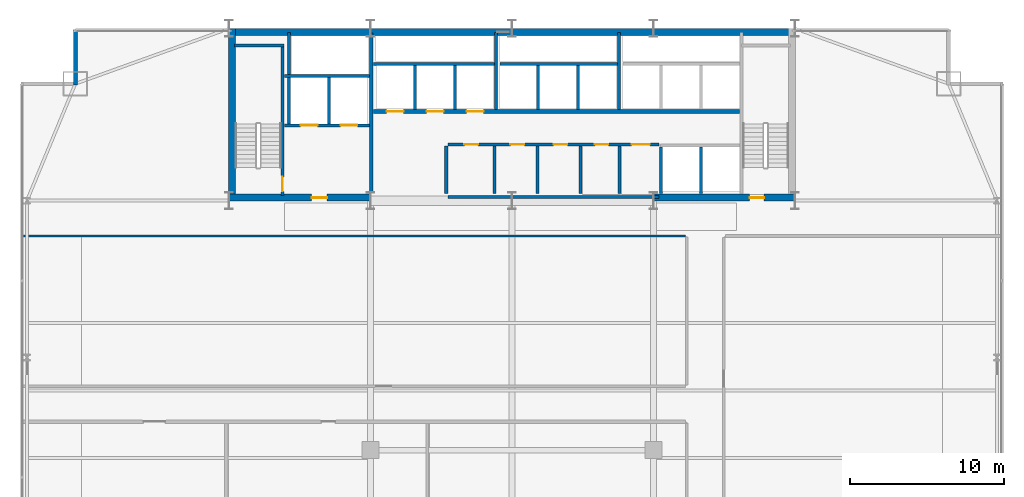
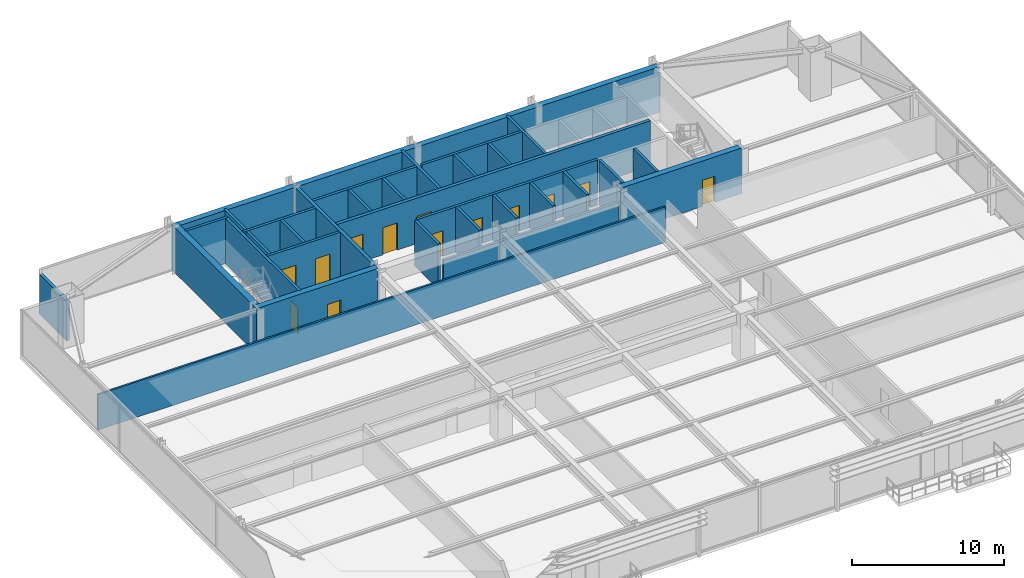
# One storey, part 28 of 31: 31 walls, 13 doors, 13 openings.
"""IFC4 building model written with IfcOpenShell, lengths in metres."""

from ifc_helpers import new_model, si_unit, direction, frame, frame_2d, origin, place, context, subcontext, project, spatial, rectangle, extrude, source, transform, mapped, material, layer, layer_set, type_object, type_shapes, element, fill, save


model = new_model("IFC4")

# Units and contexts
model_context = context("Model", 3, precision=1e-05, world=origin(), true_north=direction((0.0, 1.0)))
body_context = subcontext(model_context, "Body", "Model", "MODEL_VIEW")
ifc_project = project(units=[si_unit("LENGTHUNIT", "METRE"), si_unit("AREAUNIT", "SQUARE_METRE"), si_unit("VOLUMEUNIT", "CUBIC_METRE"), si_unit("PLANEANGLEUNIT", "RADIAN"), si_unit("MASSUNIT", "GRAM", prefix="KILO")], contexts=[model_context])

# Site, building, storey
site_placement = place(None, origin())
site = spatial("IfcSite", under=ifc_project, at=site_placement, CompositionType="ELEMENT")
building_placement = place(site_placement, origin())
building = spatial("IfcBuilding", under=site, at=building_placement, Name="Varnel Quay Broadcast Tower", CompositionType="ELEMENT")
storey_placement = place(building_placement, frame((0.0, 0.0, 51.0)))
storey = spatial("IfcBuildingStorey", under=building, at=storey_placement, Name="L11", CompositionType="ELEMENT", Elevation=51.0)

# Wall, opening, door
ifc_material_1 = material(Name="Concrete CSA A23.3 C50/60", Category="concrete")
ifc_layer_1 = layer(ifc_material_1, 0.199951171875, Name="Concrete CSA A23.3 C50/60")
ifc_layer_set_1 = layer_set([ifc_layer_1], Name="Concrete CSA A23.3 C50/60")
wall_type_1 = type_object("IfcWallType", Name="Wall_CoreShaftShear200", PredefinedType="SHEAR", material=ifc_layer_set_1)
wall_1_placement = place(storey_placement, frame((19.080078125, 35.949951171875, 0.0), z_axis=(0.0, 0.0, 1.0), x_axis=(0.0, 1.0, 0.0)))
wall_1 = element("IfcWall", 1, at=wall_1_placement, inside=storey, type_object=wall_type_1, Name="L11 Stair 1 East Structural Wall", PredefinedType="SHEAR", context=body_context, shape_type="SweptSolid", body=[
    extrude(rectangle(XDim=9.650146484375, YDim=0.199951171875, at=frame_2d((4.8251953125, 0.0))), origin(), (0.0, 0.0, 1.0), 3.64990234375),
])
opening_1_placement = place(wall_1_placement, frame((0.25, 0.0, 0.0)))
opening_1 = element("IfcOpeningElement", 2, at=opening_1_placement, cuts=wall_1, Name="Opening D-L11-S1", PredefinedType="OPENING", context=body_context, shape_type="SweptSolid", body=[
    extrude(rectangle(XDim=0.949951171875, YDim=2.10009765625, at=frame_2d((0.47509765625, 1.050048828125))), frame((0.0, 0.10986328125, 0.0), z_axis=(0.0, -1.0, 0.0), x_axis=(1.0, 0.0, 0.0)), (0.0, 0.0, 1.0), 0.219970703125),
])
ifc_material_2 = material(Name="Insulated Fire-Rated Hollow Steel Door", Category="steel")
door_type_1 = type_object("IfcDoorType", Name="Door_FireStair950", OperationType="NOTDEFINED", PredefinedType="DOOR", material=ifc_material_2)
shared_shape_1 = source(origin(), body_context, "Body", "SweptSolid", [
    extrude(rectangle(XDim=0.949951171875, YDim=2.10009765625, at=frame_2d((0.47509765625, 1.050048828125))), frame((0.0, 0.02490234375, 0.0), z_axis=(0.0, -1.0, 0.0), x_axis=(1.0, 0.0, 0.0)), (0.0, 0.0, 1.0), 0.050048828125),
])
type_shapes(door_type_1, [shared_shape_1])
door_1_placement = place(opening_1_placement, origin())
door_1 = element("IfcDoor", 3, at=door_1_placement, inside=storey, type_object=door_type_1, Name="L11 Stair 1 Fire Door", OperationType="SINGLE_SWING_RIGHT", OverallHeight=2.10009765625, OverallWidth=0.949951171875, PredefinedType="DOOR", context=body_context, shape_type="MappedRepresentation", body=[
    mapped(shared_shape_1, transform((0.0, 0.0, 0.0), x_axis=(1.0, 0.0, 0.0), y_axis=(0.0, 1.0, 0.0), z_axis=(0.0, 0.0, 1.0), scale=1.0)),
])
fill(opening_1, door_1)

# Wall
wall_2_placement = place(storey_placement, frame((15.949951171875, 45.679931640625, 0.0), z_axis=(0.0, 0.0, 1.0), x_axis=(1.0, 0.0, 0.0)))
element("IfcWall", 4, at=wall_2_placement, inside=storey, type_object=wall_type_1, Name="L11 Stair 1 North Structural Wall", PredefinedType="SHEAR", context=body_context, shape_type="SweptSolid", body=[
    extrude(rectangle(XDim=3.22998046875, YDim=0.199951171875, at=frame_2d((1.614990234375, 0.0))), origin(), (0.0, 0.0, 1.0), 3.64990234375),
])

# Wall, openings, doors
wall_3_placement = place(storey_placement, frame((19.199951171875, 40.5, 0.0), z_axis=(0.0, 0.0, 1.0), x_axis=(1.0, 0.0, 0.0)))
wall_3 = element("IfcWall", 5, at=wall_3_placement, inside=storey, type_object=wall_type_1, Name="L11 Firefighter Lift Shaft Front Wall", PredefinedType="SHEAR", context=body_context, shape_type="SweptSolid", body=[
    extrude(rectangle(XDim=5.52001953125, YDim=0.199951171875, at=frame_2d((2.760009765625, 0.0))), origin(), (0.0, 0.0, 1.0), 3.64990234375),
])
opening_2_placement = place(wall_3_placement, frame((1.050048828125, 0.0, 0.0)))
opening_2 = element("IfcOpeningElement", 6, at=opening_2_placement, cuts=wall_3, Name="Opening LD-L11-FE1", PredefinedType="OPENING", context=body_context, shape_type="SweptSolid", body=[
    extrude(rectangle(XDim=1.10009765625, YDim=2.179931640625, at=frame_2d((0.550048828125, 1.08984375))), frame((0.0, 0.10986328125, 0.0), z_axis=(0.0, -1.0, 0.0), x_axis=(1.0, 0.0, 0.0)), (0.0, 0.0, 1.0), 0.219970703125),
])
opening_3_placement = place(wall_3_placement, frame((3.64990234375, 0.0, 0.0)))
opening_3 = element("IfcOpeningElement", 7, at=opening_3_placement, cuts=wall_3, Name="Opening LD-L11-FE2", PredefinedType="OPENING", context=body_context, shape_type="SweptSolid", body=[
    extrude(rectangle(XDim=1.10009765625, YDim=2.179931640625, at=frame_2d((0.550048828125, 1.08984375))), frame((0.0, 0.10986328125, 0.0), z_axis=(0.0, -1.0, 0.0), x_axis=(1.0, 0.0, 0.0)), (0.0, 0.0, 1.0), 0.219970703125),
])
ifc_material_3 = material(Name="Brushed Bronze-Stainless Lift Car & Sliding Doors", Category="steel")
door_type_2 = type_object("IfcDoorType", Name="Door_LiftLanding1100", OperationType="SLIDING_TO_LEFT", PredefinedType="DOOR", material=ifc_material_3)
shared_shape_2 = source(origin(), body_context, "Body", "SweptSolid", [
    extrude(rectangle(XDim=1.10009765625, YDim=2.179931640625, at=frame_2d((0.550048828125, 1.08984375))), frame((0.0, 0.02490234375, 0.0), z_axis=(0.0, -1.0, 0.0), x_axis=(1.0, 0.0, 0.0)), (0.0, 0.0, 1.0), 0.050048828125),
])
type_shapes(door_type_2, [shared_shape_2])
door_2_placement = place(opening_2_placement, frame((1.10009765625, 0.0, 0.0), z_axis=(0.0, 0.0, 1.0), x_axis=(-1.0, 0.0, 0.0)))
door_2 = element("IfcDoor", 8, at=door_2_placement, inside=storey, type_object=door_type_2, Name="L11 Firefighter Lift FE-01 Landing Door", OperationType="SLIDING_TO_LEFT", OverallHeight=2.179931640625, OverallWidth=1.10009765625, PredefinedType="DOOR", context=body_context, shape_type="MappedRepresentation", body=[
    mapped(shared_shape_2, transform((0.0, 0.0, 0.0), x_axis=(1.0, 0.0, 0.0), y_axis=(0.0, 1.0, 0.0), z_axis=(0.0, 0.0, 1.0), scale=1.0)),
])
fill(opening_2, door_2)
door_3_placement = place(opening_3_placement, frame((1.10009765625, 0.0, 0.0), z_axis=(0.0, 0.0, 1.0), x_axis=(-1.0, 0.0, 0.0)))
door_3 = element("IfcDoor", 9, at=door_3_placement, inside=storey, type_object=door_type_2, Name="L11 Firefighter Lift FE-02 Landing Door", OperationType="SLIDING_TO_RIGHT", OverallHeight=2.179931640625, OverallWidth=1.10009765625, PredefinedType="DOOR", context=body_context, shape_type="MappedRepresentation", body=[
    mapped(shared_shape_2, transform((0.0, 0.0, 0.0), x_axis=(1.0, 0.0, 0.0), y_axis=(0.0, 1.0, 0.0), z_axis=(0.0, 0.0, 1.0), scale=1.0)),
])
fill(opening_3, door_3)

# Walls
wall_4_placement = place(storey_placement, frame((19.199951171875, 43.699951171875, 0.0), z_axis=(0.0, 0.0, 1.0), x_axis=(1.0, 0.0, 0.0)))
element("IfcWall", 10, at=wall_4_placement, inside=storey, type_object=wall_type_1, Name="L11 Firefighter Lift Shaft Rear Wall", PredefinedType="SHEAR", context=body_context, shape_type="SweptSolid", body=[
    extrude(rectangle(XDim=5.52001953125, YDim=0.199951171875, at=frame_2d((2.760009765625, 0.0))), origin(), (0.0, 0.0, 1.0), 3.64990234375),
])
wall_5_placement = place(storey_placement, frame((22.10009765625, 40.60009765625, 0.0), z_axis=(0.0, 0.0, 1.0), x_axis=(0.0, 1.0, 0.0)))
element("IfcWall", 11, at=wall_5_placement, inside=storey, type_object=wall_type_1, Name="L11 Firefighter Lift Shaft Divider", PredefinedType="SHEAR", context=body_context, shape_type="SweptSolid", body=[
    extrude(rectangle(XDim=3.0, YDim=0.199951171875, at=frame_2d((1.5, 0.0))), origin(), (0.0, 0.0, 1.0), 3.64990234375),
])
wall_6_placement = place(storey_placement, frame((19.5, 40.60009765625, 0.0), z_axis=(0.0, 0.0, 1.0), x_axis=(0.0, 1.0, 0.0)))
element("IfcWall", 12, at=wall_6_placement, inside=storey, type_object=wall_type_1, Name="L11 Firefighter Lift Shaft West Wall", PredefinedType="SHEAR", context=body_context, shape_type="SweptSolid", body=[
    extrude(rectangle(XDim=5.949951171875, YDim=0.199951171875, at=frame_2d((2.97509765625, 0.0))), origin(), (0.0, 0.0, 1.0), 3.64990234375),
])
wall_7_placement = place(storey_placement, frame((24.97998046875, 44.5, 0.0), z_axis=(0.0, 0.0, 1.0), x_axis=(1.0, 0.0, 0.0)))
element("IfcWall", 13, at=wall_7_placement, inside=storey, type_object=wall_type_1, Name="L11 Low-Rise Lift Shaft Rear Wall", PredefinedType="SHEAR", context=body_context, shape_type="SweptSolid", body=[
    extrude(rectangle(XDim=7.8701171875, YDim=0.199951171875, at=frame_2d((3.93505859375, 0.0))), origin(), (0.0, 0.0, 1.0), 3.64990234375),
])
for number, where, z_axis, x_axis, name in (
    (14, (27.699951171875, 41.530029296875, 0.0), (0.0, 0.0, 1.0), (0.0, 1.0, 0.0), "L11 Low-Rise Lift Shaft Divider 1"),
    (15, (30.300048828125, 41.530029296875, 0.0), (0.0, 0.0, 1.0), (0.0, 1.0, 0.0), "L11 Low-Rise Lift Shaft Divider 2"),
):
    element("IfcWall", number, at=place(storey_placement, frame(where, z_axis=z_axis, x_axis=x_axis)), inside=storey, type_object=wall_type_1, Name=name, PredefinedType="SHEAR", context=body_context, shape_type="SweptSolid", body=[
        extrude(rectangle(XDim=2.869873046875, YDim=0.199951171875, at=frame_2d((1.43505859375, 0.0))), origin(), (0.0, 0.0, 1.0), 3.64990234375),
    ])
wall_8_placement = place(storey_placement, frame((32.949951171875, 41.530029296875, 0.0), z_axis=(0.0, 0.0, 1.0), x_axis=(0.0, 1.0, 0.0)))
element("IfcWall", 16, at=wall_8_placement, inside=storey, type_object=wall_type_1, Name="L11 Low-Rise Lift Shaft Divider 3", PredefinedType="SHEAR", context=body_context, shape_type="SweptSolid", body=[
    extrude(rectangle(XDim=5.02001953125, YDim=0.199951171875, at=frame_2d((2.510009765625, 0.0))), origin(), (0.0, 0.0, 1.0), 3.64990234375),
])
wall_9_placement = place(storey_placement, frame((33.219970703125, 44.5, 0.0), z_axis=(0.0, 0.0, 1.0), x_axis=(1.0, 0.0, 0.0)))
element("IfcWall", 17, at=wall_9_placement, inside=storey, type_object=wall_type_1, Name="L11 Mid-Rise Lift Shaft Rear Wall", PredefinedType="SHEAR", context=body_context, shape_type="SweptSolid", body=[
    extrude(rectangle(XDim=7.630126953125, YDim=0.199951171875, at=frame_2d((3.81494140625, 0.0))), origin(), (0.0, 0.0, 1.0), 3.64990234375),
])
for number, where, z_axis, x_axis, name in (
    (18, (35.699951171875, 41.530029296875, 0.0), (0.0, 0.0, 1.0), (0.0, 1.0, 0.0), "L11 Mid-Rise Lift Shaft Divider 2"),
    (19, (38.300048828125, 41.530029296875, 0.0), (0.0, 0.0, 1.0), (0.0, 1.0, 0.0), "L11 Mid-Rise Lift Shaft Divider 3"),
):
    element("IfcWall", number, at=place(storey_placement, frame(where, z_axis=z_axis, x_axis=x_axis)), inside=storey, type_object=wall_type_1, Name=name, PredefinedType="SHEAR", context=body_context, shape_type="SweptSolid", body=[
        extrude(rectangle(XDim=2.869873046875, YDim=0.199951171875, at=frame_2d((1.43505859375, 0.0))), origin(), (0.0, 0.0, 1.0), 3.64990234375),
    ])
wall_10_placement = place(storey_placement, frame((40.949951171875, 41.530029296875, 0.0), z_axis=(0.0, 0.0, 1.0), x_axis=(0.0, 1.0, 0.0)))
element("IfcWall", 20, at=wall_10_placement, inside=storey, type_object=wall_type_1, Name="L11 Mid-Rise Lift Shaft Divider 4", PredefinedType="SHEAR", context=body_context, shape_type="SweptSolid", body=[
    extrude(rectangle(XDim=5.02001953125, YDim=0.199951171875, at=frame_2d((2.510009765625, 0.0))), origin(), (0.0, 0.0, 1.0), 3.64990234375),
])
for number, where, z_axis, x_axis, name in (
    (21, (43.699951171875, 36.050048828125, 0.0), (0.0, 0.0, 1.0), (0.0, 1.0, 0.0), "L11 Express Lift Shaft West Wall"),
    (22, (46.300048828125, 36.050048828125, 0.0), (0.0, 0.0, 1.0), (0.0, 1.0, 0.0), "L11 Express Lift Shaft Divider"),
):
    element("IfcWall", number, at=place(storey_placement, frame(where, z_axis=z_axis, x_axis=x_axis)), inside=storey, type_object=wall_type_1, Name=name, PredefinedType="SHEAR", context=body_context, shape_type="SweptSolid", body=[
        extrude(rectangle(XDim=3.050048828125, YDim=0.199951171875, at=frame_2d((1.52490234375, 0.0))), origin(), (0.0, 0.0, 1.0), 3.64990234375),
    ])
ifc_layer_2 = layer(ifc_material_1, 0.25, Name="Concrete CSA A23.3 C50/60")
ifc_layer_set_2 = layer_set([ifc_layer_2], Name="Concrete CSA A23.3 C50/60")
wall_type_2 = type_object("IfcWallType", Name="Wall_CoreShaftShear250", PredefinedType="SHEAR", material=ifc_layer_set_2)
wall_11_placement = place(storey_placement, frame((24.85009765625, 36.050048828125, 0.0), z_axis=(0.0, 0.0, 1.0), x_axis=(0.0, 1.0, 0.0)))
element("IfcWall", 23, at=wall_11_placement, inside=storey, type_object=wall_type_2, Name="L11 Firefighting Lobby East Structural Wall", PredefinedType="SHEAR", context=body_context, shape_type="SweptSolid", body=[
    extrude(rectangle(XDim=10.449951171875, YDim=0.25, at=frame_2d((5.22509765625, 0.0))), origin(), (0.0, 0.0, 1.0), 3.64990234375),
])

# Wall, openings, doors
wall_12_placement = place(storey_placement, frame((24.97998046875, 41.39990234375, 0.0), z_axis=(0.0, 0.0, 1.0), x_axis=(1.0, 0.0, 0.0)))
wall_12 = element("IfcWall", 24, at=wall_12_placement, inside=storey, type_object=wall_type_2, Name="L11 North Lift Bank & Reclaimed Suite Wall", PredefinedType="SHEAR", context=body_context, shape_type="SweptSolid", body=[
    extrude(rectangle(XDim=23.820068359375, YDim=0.25, at=frame_2d((11.91015625, 0.0))), origin(), (0.0, 0.0, 1.0), 3.64990234375),
])
opening_4_placement = place(wall_12_placement, frame((0.8701171875, 0.0, 0.0)))
opening_4 = element("IfcOpeningElement", 25, at=opening_4_placement, cuts=wall_12, Name="Opening LD-L11-PL-01", PredefinedType="OPENING", context=body_context, shape_type="SweptSolid", body=[
    extrude(rectangle(XDim=1.10009765625, YDim=2.179931640625, at=frame_2d((0.550048828125, 1.08984375))), frame((0.0, 0.135009765625, 0.0), z_axis=(0.0, -1.0, 0.0), x_axis=(1.0, 0.0, 0.0)), (0.0, 0.0, 1.0), 0.27001953125),
])
opening_5_placement = place(wall_12_placement, frame((3.469970703125, 0.0, 0.0)))
opening_5 = element("IfcOpeningElement", 26, at=opening_5_placement, cuts=wall_12, Name="Opening LD-L11-PL-02", PredefinedType="OPENING", context=body_context, shape_type="SweptSolid", body=[
    extrude(rectangle(XDim=1.10009765625, YDim=2.179931640625, at=frame_2d((0.550048828125, 1.08984375))), frame((0.0, 0.135009765625, 0.0), z_axis=(0.0, -1.0, 0.0), x_axis=(1.0, 0.0, 0.0)), (0.0, 0.0, 1.0), 0.27001953125),
])
opening_6_placement = place(wall_12_placement, frame((6.070068359375, 0.0, 0.0)))
opening_6 = element("IfcOpeningElement", 27, at=opening_6_placement, cuts=wall_12, Name="Opening LD-L11-PL-03", PredefinedType="OPENING", context=body_context, shape_type="SweptSolid", body=[
    extrude(rectangle(XDim=1.10009765625, YDim=2.179931640625, at=frame_2d((0.550048828125, 1.08984375))), frame((0.0, 0.135009765625, 0.0), z_axis=(0.0, -1.0, 0.0), x_axis=(1.0, 0.0, 0.0)), (0.0, 0.0, 1.0), 0.27001953125),
])
door_4_placement = place(opening_4_placement, frame((1.10009765625, 0.0, 0.0), z_axis=(0.0, 0.0, 1.0), x_axis=(-1.0, 0.0, 0.0)))
door_4 = element("IfcDoor", 28, at=door_4_placement, inside=storey, type_object=door_type_2, Name="L11 Lift PL-01 Landing Door", OperationType="SLIDING_TO_LEFT", OverallHeight=2.179931640625, OverallWidth=1.10009765625, PredefinedType="DOOR", context=body_context, shape_type="MappedRepresentation", body=[
    mapped(shared_shape_2, transform((0.0, 0.0, 0.0), x_axis=(1.0, 0.0, 0.0), y_axis=(0.0, 1.0, 0.0), z_axis=(0.0, 0.0, 1.0), scale=1.0)),
])
fill(opening_4, door_4)
door_5_placement = place(opening_5_placement, frame((1.10009765625, 0.0, 0.0), z_axis=(0.0, 0.0, 1.0), x_axis=(-1.0, 0.0, 0.0)))
door_5 = element("IfcDoor", 29, at=door_5_placement, inside=storey, type_object=door_type_2, Name="L11 Lift PL-02 Landing Door", OperationType="SLIDING_TO_LEFT", OverallHeight=2.179931640625, OverallWidth=1.10009765625, PredefinedType="DOOR", context=body_context, shape_type="MappedRepresentation", body=[
    mapped(shared_shape_2, transform((0.0, 0.0, 0.0), x_axis=(1.0, 0.0, 0.0), y_axis=(0.0, 1.0, 0.0), z_axis=(0.0, 0.0, 1.0), scale=1.0)),
])
fill(opening_5, door_5)
door_6_placement = place(opening_6_placement, frame((1.10009765625, 0.0, 0.0), z_axis=(0.0, 0.0, 1.0), x_axis=(-1.0, 0.0, 0.0)))
door_6 = element("IfcDoor", 30, at=door_6_placement, inside=storey, type_object=door_type_2, Name="L11 Lift PL-03 Landing Door", OperationType="SLIDING_TO_LEFT", OverallHeight=2.179931640625, OverallWidth=1.10009765625, PredefinedType="DOOR", context=body_context, shape_type="MappedRepresentation", body=[
    mapped(shared_shape_2, transform((0.0, 0.0, 0.0), x_axis=(1.0, 0.0, 0.0), y_axis=(0.0, 1.0, 0.0), z_axis=(0.0, 0.0, 1.0), scale=1.0)),
])
fill(opening_6, door_6)

# Walls
ifc_material_4 = material(Name="Concrete CSA A23.3 C60/75", Category="concrete")
ifc_layer_3 = layer(ifc_material_4, 0.449951171875, Name="Concrete CSA A23.3 C60/75")
ifc_layer_set_3 = layer_set([ifc_layer_3], Name="Concrete CSA A23.3 C60/75")
wall_type_3 = type_object("IfcWallType", Name="Wall_CoreShearExt450", PredefinedType="SHEAR", material=ifc_layer_set_3)
wall_13_placement = place(storey_placement, frame((15.60009765625, 46.574951171875, 0.0), z_axis=(0.0, 0.0, 1.0), x_axis=(1.0, 0.0, 0.0)))
element("IfcWall", 31, at=wall_13_placement, inside=storey, type_object=wall_type_3, Name="L11 North Core Shear Wall", PredefinedType="SHEAR", context=body_context, shape_type="SweptSolid", body=[
    extrude(rectangle(XDim=36.7998046875, YDim=0.449951171875, at=frame_2d((18.39990234375, 0.0))), origin(), (0.0, 0.0, 1.0), 3.64990234375),
])
ifc_layer_4 = layer(ifc_material_4, 0.449951171875, Name="Concrete CSA A23.3 C60/75")
ifc_layer_set_4 = layer_set([ifc_layer_4], Name="Concrete CSA A23.3 C60/75")
wall_type_4 = type_object("IfcWallType", Name="Wall_CoreShearInt450", PredefinedType="SHEAR", material=ifc_layer_set_4)
wall_14_placement = place(storey_placement, frame((15.794921875, 35.570068359375, 0.0), z_axis=(0.0, 0.0, 1.0), x_axis=(0.0, 1.0, 0.0)))
element("IfcWall", 32, at=wall_14_placement, inside=storey, type_object=wall_type_4, Name="L11 West Core Shear Wall", PredefinedType="SHEAR", context=body_context, shape_type="SweptSolid", body=[
    extrude(rectangle(XDim=11.22998046875, YDim=0.449951171875, at=frame_2d((5.614990234375, 0.0))), origin(), (0.0, 0.0, 1.0), 3.64990234375),
])

# Wall, opening, door
wall_15_placement = place(storey_placement, frame((15.570068359375, 35.794921875, 0.0), z_axis=(0.0, 0.0, 1.0), x_axis=(1.0, 0.0, 0.0)))
wall_15 = element("IfcWall", 33, at=wall_15_placement, inside=storey, type_object=wall_type_4, Name="L11 South-West Core Shear Wall", PredefinedType="SHEAR", context=body_context, shape_type="SweptSolid", body=[
    extrude(rectangle(XDim=9.22998046875, YDim=0.449951171875, at=frame_2d((4.614990234375, 0.0))), origin(), (0.0, 0.0, 1.0), 3.64990234375),
])
opening_7_placement = place(wall_15_placement, frame((5.39990234375, 0.0, 0.0)))
opening_7 = element("IfcOpeningElement", 34, at=opening_7_placement, cuts=wall_15, Name="Opening D-L11-FFL", PredefinedType="OPENING", context=body_context, shape_type="SweptSolid", body=[
    extrude(rectangle(XDim=1.0, YDim=2.10009765625, at=frame_2d((0.5, 1.050048828125))), frame((0.0, 0.23486328125, 0.0), z_axis=(0.0, -1.0, 0.0), x_axis=(1.0, 0.0, 0.0)), (0.0, 0.0, 1.0), 0.469970703125),
])
door_type_3 = type_object("IfcDoorType", Name="Door_FireLobby1000", OperationType="NOTDEFINED", PredefinedType="DOOR", material=ifc_material_2)
shared_shape_3 = source(origin(), body_context, "Body", "SweptSolid", [
    extrude(rectangle(XDim=1.0, YDim=2.10009765625, at=frame_2d((0.5, 1.050048828125))), frame((0.0, 0.02490234375, 0.0), z_axis=(0.0, -1.0, 0.0), x_axis=(1.0, 0.0, 0.0)), (0.0, 0.0, 1.0), 0.050048828125),
])
type_shapes(door_type_3, [shared_shape_3])
door_7_placement = place(opening_7_placement, origin())
door_7 = element("IfcDoor", 35, at=door_7_placement, inside=storey, type_object=door_type_3, Name="L11 Firefighting Lobby Door", OperationType="SINGLE_SWING_LEFT", OverallHeight=2.10009765625, OverallWidth=1.0, PredefinedType="DOOR", context=body_context, shape_type="MappedRepresentation", body=[
    mapped(shared_shape_3, transform((0.0, 0.0, 0.0), x_axis=(1.0, 0.0, 0.0), y_axis=(0.0, 1.0, 0.0), z_axis=(0.0, 0.0, 1.0), scale=1.0)),
])
fill(opening_7, door_7)

wall_16_placement = place(storey_placement, frame((43.199951171875, 35.794921875, 0.0), z_axis=(0.0, 0.0, 1.0), x_axis=(1.0, 0.0, 0.0)))
wall_16 = element("IfcWall", 36, at=wall_16_placement, inside=storey, type_object=wall_type_4, Name="L11 South-East Core Shear Wall", PredefinedType="SHEAR", context=body_context, shape_type="SweptSolid", body=[
    extrude(rectangle(XDim=9.22998046875, YDim=0.449951171875, at=frame_2d((4.614990234375, 0.0))), origin(), (0.0, 0.0, 1.0), 3.64990234375),
])
opening_8_placement = place(wall_16_placement, frame((6.25, 0.0, 0.0)))
opening_8 = element("IfcOpeningElement", 37, at=opening_8_placement, cuts=wall_16, Name="Opening D-L11-S2", PredefinedType="OPENING", context=body_context, shape_type="SweptSolid", body=[
    extrude(rectangle(XDim=0.949951171875, YDim=2.10009765625, at=frame_2d((0.47509765625, 1.050048828125))), frame((0.0, 0.23486328125, 0.0), z_axis=(0.0, -1.0, 0.0), x_axis=(1.0, 0.0, 0.0)), (0.0, 0.0, 1.0), 0.469970703125),
])
door_8_placement = place(opening_8_placement, origin())
door_8 = element("IfcDoor", 38, at=door_8_placement, inside=storey, type_object=door_type_1, Name="L11 Stair 2 Fire Door", OperationType="SINGLE_SWING_RIGHT", OverallHeight=2.10009765625, OverallWidth=0.949951171875, PredefinedType="DOOR", context=body_context, shape_type="MappedRepresentation", body=[
    mapped(shared_shape_1, transform((0.0, 0.0, 0.0), x_axis=(1.0, 0.0, 0.0), y_axis=(0.0, 1.0, 0.0), z_axis=(0.0, 0.0, 1.0), scale=1.0)),
])
fill(opening_8, door_8)

# Walls
ifc_material_5 = material(Name="Precast Architectural Concrete C40/50", Category="concrete")
ifc_layer_5 = layer(ifc_material_5, 0.25, Name="Precast Architectural Concrete C40/50")
ifc_layer_set_5 = layer_set([ifc_layer_5], Name="Precast Architectural Concrete C40/50")
wall_type_5 = type_object("IfcWallType", Name="Wall_ExtTerrace250", PredefinedType="SOLIDWALL", material=ifc_layer_set_5)
wall_17_placement = place(storey_placement, frame((5.60009765625, 43.1201171875, 0.0), z_axis=(0.0, 0.0, 1.0), x_axis=(0.0, 1.0, 0.0)))
element("IfcWall", 39, at=wall_17_placement, inside=storey, type_object=wall_type_5, Name="L11 Mega-Column Notch Cladding Wall NNW2", PredefinedType="SOLIDWALL", context=body_context, shape_type="SweptSolid", body=[
    extrude(rectangle(XDim=3.599853515625, YDim=0.25, at=frame_2d((1.7998046875, 0.0))), origin(), (0.0, 0.0, 1.0), 3.2080078125),
])
ifc_material_6 = material(Name="Concrete Blockwork Fire Enclosure C40/50", Category="masonry")
ifc_layer_6 = layer(ifc_material_6, 0.199951171875, Name="Concrete Blockwork Fire Enclosure C40/50")
ifc_layer_set_6 = layer_set([ifc_layer_6], Name="Concrete Blockwork Fire Enclosure C40/50")
wall_type_6 = type_object("IfcWallType", Name="Wall_FireShaft200", PredefinedType="SOLIDWALL", material=ifc_layer_set_6)
wall_18_placement = place(storey_placement, frame((29.85009765625, 35.824951171875, 0.0), z_axis=(0.0, 0.0, 1.0), x_axis=(1.0, 0.0, 0.0)))
element("IfcWall", 40, at=wall_18_placement, inside=storey, type_object=wall_type_6, Name="L11 Accessible Washroom Partition 1", PredefinedType="SOLIDWALL", context=body_context, shape_type="SweptSolid", body=[
    extrude(rectangle(XDim=13.699951171875, YDim=0.199951171875, at=frame_2d((6.85009765625, 0.0))), origin(), (0.0, 0.0, 1.0), 2.425048828125),
])

# Wall, openings, doors
wall_19_placement = place(storey_placement, frame((29.85009765625, 39.25, 0.0), z_axis=(0.0, 0.0, 1.0), x_axis=(1.0, 0.0, 0.0)))
wall_19 = element("IfcWall", 41, at=wall_19_placement, inside=storey, type_object=wall_type_6, Name="L11 Accessible Washroom Partition 3", PredefinedType="SOLIDWALL", context=body_context, shape_type="SweptSolid", body=[
    extrude(rectangle(XDim=13.699951171875, YDim=0.199951171875, at=frame_2d((6.85009765625, 0.0))), origin(), (0.0, 0.0, 1.0), 3.6298828125),
])
opening_9_placement = place(wall_19_placement, frame((1.050048828125, 0.0, 0.0)))
opening_9 = element("IfcOpeningElement", 42, at=opening_9_placement, cuts=wall_19, Name="Opening D-L11-01", PredefinedType="OPENING", context=body_context, shape_type="SweptSolid", body=[
    extrude(rectangle(XDim=0.89990234375, YDim=2.06005859375, at=frame_2d((0.449951171875, 1.030029296875))), frame((0.0, 0.10986328125, 0.0), z_axis=(0.0, -1.0, 0.0), x_axis=(1.0, 0.0, 0.0)), (0.0, 0.0, 1.0), 0.219970703125),
])
opening_10_placement = place(wall_19_placement, frame((4.050048828125, 0.0, 0.0)))
opening_10 = element("IfcOpeningElement", 43, at=opening_10_placement, cuts=wall_19, Name="Opening D-L11-02", PredefinedType="OPENING", context=body_context, shape_type="SweptSolid", body=[
    extrude(rectangle(XDim=0.89990234375, YDim=2.06005859375, at=frame_2d((0.449951171875, 1.030029296875))), frame((0.0, 0.10986328125, 0.0), z_axis=(0.0, -1.0, 0.0), x_axis=(1.0, 0.0, 0.0)), (0.0, 0.0, 1.0), 0.219970703125),
])
opening_11_placement = place(wall_19_placement, frame((6.85009765625, 0.0, 0.0)))
opening_11 = element("IfcOpeningElement", 44, at=opening_11_placement, cuts=wall_19, Name="Opening D-L11-03", PredefinedType="OPENING", context=body_context, shape_type="SweptSolid", body=[
    extrude(rectangle(XDim=0.89990234375, YDim=2.06005859375, at=frame_2d((0.449951171875, 1.030029296875))), frame((0.0, 0.10986328125, 0.0), z_axis=(0.0, -1.0, 0.0), x_axis=(1.0, 0.0, 0.0)), (0.0, 0.0, 1.0), 0.219970703125),
])
opening_12_placement = place(wall_19_placement, frame((9.534912109375, 0.0, 0.0)))
opening_12 = element("IfcOpeningElement", 45, at=opening_12_placement, cuts=wall_19, Name="Opening D-L11-04", PredefinedType="OPENING", context=body_context, shape_type="SweptSolid", body=[
    extrude(rectangle(XDim=0.8798828125, YDim=2.06005859375, at=frame_2d((0.43994140625, 1.030029296875))), frame((0.0, 0.10986328125, 0.0), z_axis=(0.0, -1.0, 0.0), x_axis=(1.0, 0.0, 0.0)), (0.0, 0.0, 1.0), 0.219970703125),
])
opening_13_placement = place(wall_19_placement, frame((11.925048828125, 0.0, 0.0)))
opening_13 = element("IfcOpeningElement", 46, at=opening_13_placement, cuts=wall_19, Name="Opening D-L11-05", PredefinedType="OPENING", context=body_context, shape_type="SweptSolid", body=[
    extrude(rectangle(XDim=1.199951171875, YDim=2.10009765625, at=frame_2d((0.60009765625, 1.050048828125))), frame((0.0, 0.10986328125, 0.0), z_axis=(0.0, -1.0, 0.0), x_axis=(1.0, 0.0, 0.0)), (0.0, 0.0, 1.0), 0.219970703125),
])
ifc_material_7 = material(Name="Solid-Core Fire-Rated Acoustic Oak Veneer Door", Category="wood")
door_type_4 = type_object("IfcDoorType", Name="Door_Washroom900", OperationType="NOTDEFINED", PredefinedType="DOOR", material=ifc_material_7)
shared_shape_4 = source(origin(), body_context, "Body", "SweptSolid", [
    extrude(rectangle(XDim=0.89990234375, YDim=2.06005859375, at=frame_2d((0.449951171875, 1.030029296875))), frame((0.0, 0.02490234375, 0.0), z_axis=(0.0, -1.0, 0.0), x_axis=(1.0, 0.0, 0.0)), (0.0, 0.0, 1.0), 0.050048828125),
])
type_shapes(door_type_4, [shared_shape_4])
door_9_placement = place(opening_9_placement, frame((0.89990234375, 0.0, 0.0), z_axis=(0.0, 0.0, 1.0), x_axis=(-1.0, 0.0, 0.0)))
door_9 = element("IfcDoor", 47, at=door_9_placement, inside=storey, type_object=door_type_4, Name="L11 Accessible Washroom Door D-L11-01", OperationType="SINGLE_SWING_LEFT", OverallHeight=2.06005859375, OverallWidth=0.89990234375, PredefinedType="DOOR", context=body_context, shape_type="MappedRepresentation", body=[
    mapped(shared_shape_4, transform((0.0, 0.0, 0.0), x_axis=(1.0, 0.0, 0.0), y_axis=(0.0, 1.0, 0.0), z_axis=(0.0, 0.0, 1.0), scale=1.0)),
])
fill(opening_9, door_9)
door_10_placement = place(opening_10_placement, frame((0.89990234375, 0.0, 0.0), z_axis=(0.0, 0.0, 1.0), x_axis=(-1.0, 0.0, 0.0)))
door_10 = element("IfcDoor", 48, at=door_10_placement, inside=storey, type_object=door_type_4, Name="L11 West Gender-Neutral Washroom Door D-L11-02", OperationType="SINGLE_SWING_RIGHT", OverallHeight=2.06005859375, OverallWidth=0.89990234375, PredefinedType="DOOR", context=body_context, shape_type="MappedRepresentation", body=[
    mapped(shared_shape_4, transform((0.0, 0.0, 0.0), x_axis=(1.0, 0.0, 0.0), y_axis=(0.0, 1.0, 0.0), z_axis=(0.0, 0.0, 1.0), scale=1.0)),
])
fill(opening_10, door_10)
door_11_placement = place(opening_11_placement, frame((0.89990234375, 0.0, 0.0), z_axis=(0.0, 0.0, 1.0), x_axis=(-1.0, 0.0, 0.0)))
door_11 = element("IfcDoor", 49, at=door_11_placement, inside=storey, type_object=door_type_4, Name="L11 East Staff Washroom Door D-L11-03", OperationType="SINGLE_SWING_LEFT", OverallHeight=2.06005859375, OverallWidth=0.89990234375, PredefinedType="DOOR", context=body_context, shape_type="MappedRepresentation", body=[
    mapped(shared_shape_4, transform((0.0, 0.0, 0.0), x_axis=(1.0, 0.0, 0.0), y_axis=(0.0, 1.0, 0.0), z_axis=(0.0, 0.0, 1.0), scale=1.0)),
])
fill(opening_11, door_11)
door_type_5 = type_object("IfcDoorType", Name="Door_Plant1200", OperationType="NOTDEFINED", PredefinedType="DOOR", material=ifc_material_2)
shared_shape_5 = source(origin(), body_context, "Body", "SweptSolid", [
    extrude(rectangle(XDim=1.199951171875, YDim=2.10009765625, at=frame_2d((0.60009765625, 1.050048828125))), frame((0.0, 0.02490234375, 0.0), z_axis=(0.0, -1.0, 0.0), x_axis=(1.0, 0.0, 0.0)), (0.0, 0.0, 1.0), 0.050048828125),
])
type_shapes(door_type_5, [shared_shape_5])
door_12_placement = place(opening_13_placement, origin())
door_12 = element("IfcDoor", 50, at=door_12_placement, inside=storey, type_object=door_type_5, Name="L11 Telecom IDF Closet Door D-L11-05", OperationType="SINGLE_SWING_LEFT", OverallHeight=2.10009765625, OverallWidth=1.199951171875, PredefinedType="DOOR", context=body_context, shape_type="MappedRepresentation", body=[
    mapped(shared_shape_5, transform((0.0, 0.0, 0.0), x_axis=(1.0, 0.0, 0.0), y_axis=(0.0, 1.0, 0.0), z_axis=(0.0, 0.0, 1.0), scale=1.0)),
])
fill(opening_13, door_12)
door_type_6 = type_object("IfcDoorType", Name="Door_Booth880", OperationType="NOTDEFINED", PredefinedType="DOOR", material=ifc_material_7)
shared_shape_6 = source(origin(), body_context, "Body", "SweptSolid", [
    extrude(rectangle(XDim=0.8798828125, YDim=2.06005859375, at=frame_2d((0.43994140625, 1.030029296875))), frame((0.0, 0.02490234375, 0.0), z_axis=(0.0, -1.0, 0.0), x_axis=(1.0, 0.0, 0.0)), (0.0, 0.0, 1.0), 0.050048828125),
])
type_shapes(door_type_6, [shared_shape_6])
door_13_placement = place(opening_12_placement, frame((0.8798828125, 0.0, 0.0), z_axis=(0.0, 0.0, 1.0), x_axis=(-1.0, 0.0, 0.0)))
door_13 = element("IfcDoor", 51, at=door_13_placement, inside=storey, type_object=door_type_6, Name="L11 Cleaners' & Linen Store Door D-L11-04", OperationType="SINGLE_SWING_RIGHT", OverallHeight=2.06005859375, OverallWidth=0.8798828125, PredefinedType="DOOR", context=body_context, shape_type="MappedRepresentation", body=[
    mapped(shared_shape_6, transform((0.0, 0.0, 0.0), x_axis=(1.0, 0.0, 0.0), y_axis=(0.0, 1.0, 0.0), z_axis=(0.0, 0.0, 1.0), scale=1.0)),
])
fill(opening_12, door_13)

# Walls
wall_20_placement = place(storey_placement, frame((41.0, 36.050048828125, 0.0), z_axis=(0.0, 0.0, 1.0), x_axis=(0.0, 1.0, 0.0)))
element("IfcWall", 52, at=wall_20_placement, inside=storey, type_object=wall_type_6, Name="L11 Cleaners' & Linen Store Partition 7", PredefinedType="SOLIDWALL", context=body_context, shape_type="SweptSolid", body=[
    extrude(rectangle(XDim=3.099853515625, YDim=0.199951171875, at=frame_2d((1.5498046875, 0.0))), origin(), (0.0, 0.0, 1.0), 3.6298828125),
])
ifc_material_8 = material(Name="Steel-Stud Fire-Rated Acoustic Gypsum Partition Assembly", Category="steel")
ifc_layer_7 = layer(ifc_material_8, 0.139892578125, Name="Steel-Stud Fire-Rated Acoustic Gypsum Partition Assembly")
ifc_layer_set_7 = layer_set([ifc_layer_7], Name="Steel-Stud Fire-Rated Acoustic Gypsum Partition Assembly")
wall_type_7 = type_object("IfcWallType", Name="Wall_Partition140", PredefinedType="PARTITIONING", material=ifc_layer_set_7)
wall_21_placement = place(storey_placement, frame((2.179931640625, 33.300048828125, 0.0), z_axis=(0.0, 0.0, 1.0), x_axis=(1.0, 0.0, 0.0)))
element("IfcWall", 53, at=wall_21_placement, inside=storey, type_object=wall_type_7, Name="L11 Reading Lounge 4 Partition 14", PredefinedType="PARTITIONING", context=body_context, shape_type="SweptSolid", body=[
    extrude(rectangle(XDim=43.090087890625, YDim=0.139892578125, at=frame_2d((21.544921875, 0.0))), origin(), (0.0, 0.0, 1.0), 2.85205078125),
])
ifc_material_9 = material(Name="Fire-Rated Moisture-Resistant Plumbing Chase Partition")
ifc_layer_8 = layer(ifc_material_9, 0.199951171875, Name="Fire-Rated Moisture-Resistant Plumbing Chase Partition")
ifc_layer_set_8 = layer_set([ifc_layer_8], Name="Fire-Rated Moisture-Resistant Plumbing Chase Partition")
wall_type_8 = type_object("IfcWallType", Name="Wall_Plumbing200", PredefinedType="PLUMBINGWALL", material=ifc_layer_set_8)
for number, where, z_axis, x_axis, name in (
    (54, (32.85009765625, 36.050048828125, 0.0), (0.0, 0.0, 1.0), (0.0, 1.0, 0.0), "L11 Accessible Washroom Partition 2"),
    (55, (29.72509765625, 36.050048828125, 0.0), (0.0, 0.0, 1.0), (0.0, 1.0, 0.0), "L11 Accessible Washroom Partition 4"),
    (56, (35.64990234375, 36.050048828125, 0.0), (0.0, 0.0, 1.0), (0.0, 1.0, 0.0), "L11 West Gender-Neutral Washroom Partition 5"),
    (57, (38.449951171875, 36.050048828125, 0.0), (0.0, 0.0, 1.0), (0.0, 1.0, 0.0), "L11 East Staff Washroom Partition 6"),
):
    element("IfcWall", number, at=place(storey_placement, frame(where, z_axis=z_axis, x_axis=x_axis)), inside=storey, type_object=wall_type_8, Name=name, PredefinedType="PLUMBINGWALL", context=body_context, shape_type="SweptSolid", body=[
        extrude(rectangle(XDim=3.099853515625, YDim=0.199951171875, at=frame_2d((1.5498046875, 0.0))), origin(), (0.0, 0.0, 1.0), 3.6298828125),
    ])

save(model, "model.ifc")
